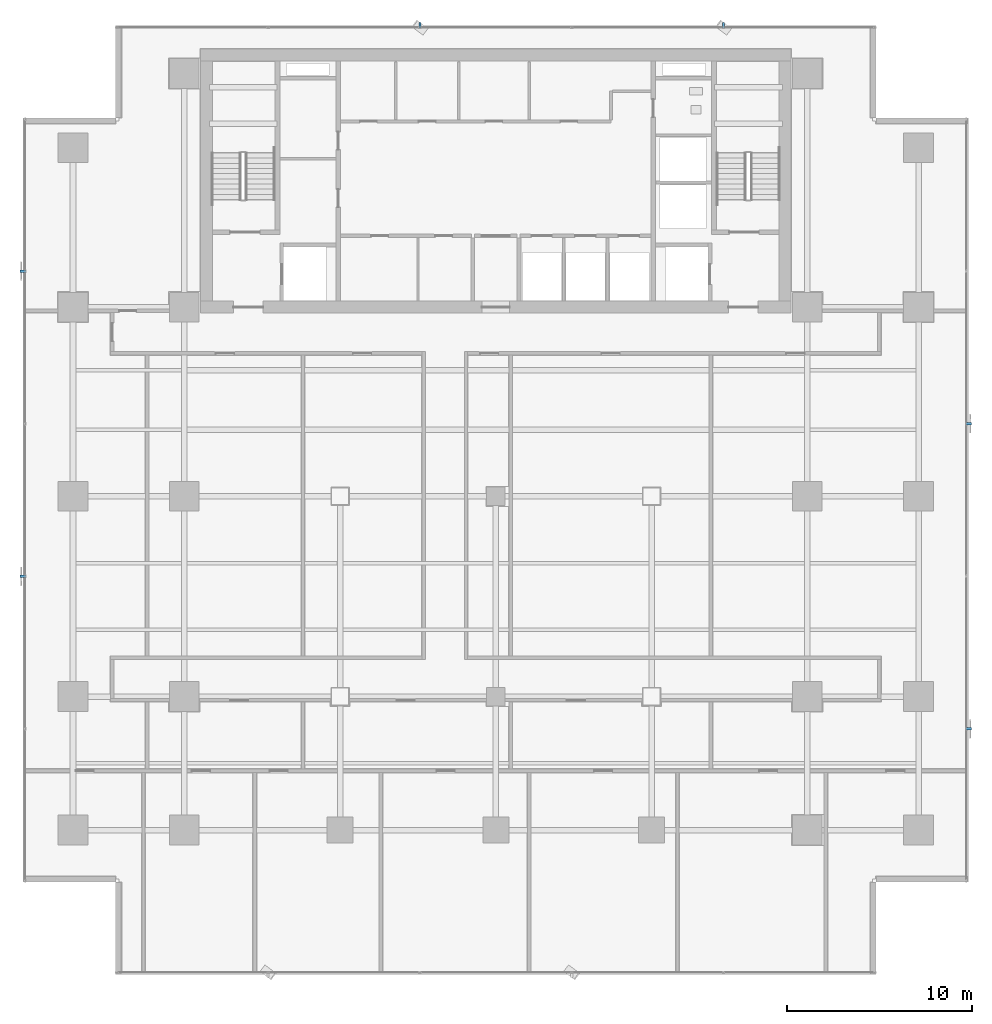
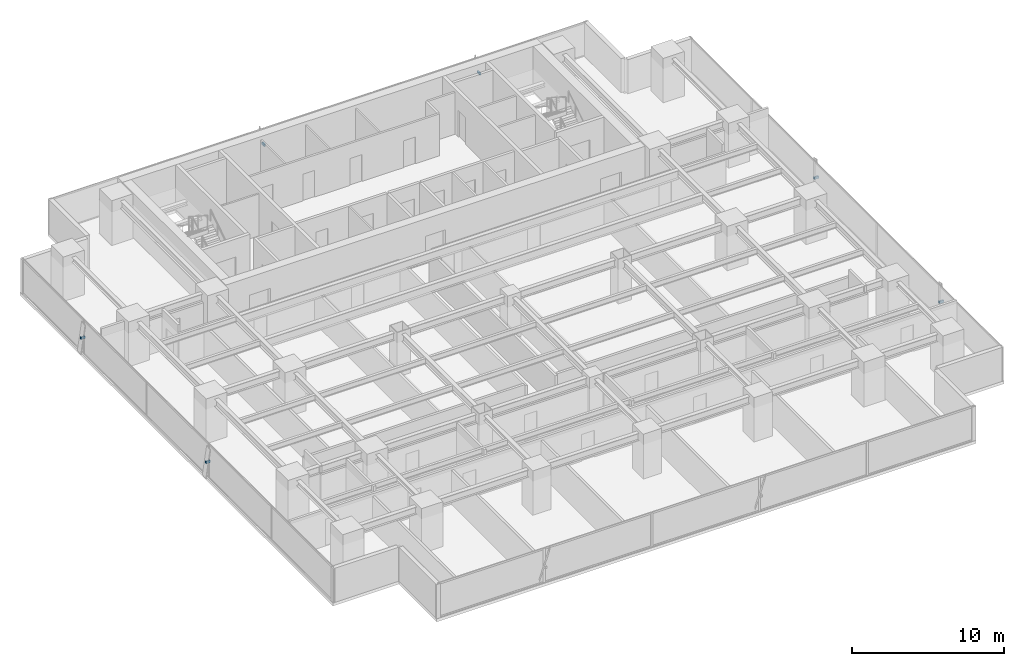
# One storey, part 31 of 36: 6 discrete accessories.
"""IFC4 building model written with IfcOpenShell, lengths in metres."""

from ifc_helpers import new_model, si_unit, direction, frame, origin, origin_2d, place, context, subcontext, project, spatial, rectangle, extrude, source, transform, mapped, material, material_profile, profile_set, type_object, element, save


model = new_model("IFC4")

# Units and contexts
model_context = context("Model", 3, precision=1e-05, world=origin(), true_north=direction((0.0, 1.0)))
body_context = subcontext(model_context, "Body", "Model", "MODEL_VIEW")
ifc_project = project(units=[si_unit("LENGTHUNIT", "METRE"), si_unit("AREAUNIT", "SQUARE_METRE"), si_unit("VOLUMEUNIT", "CUBIC_METRE"), si_unit("PLANEANGLEUNIT", "RADIAN"), si_unit("MASSUNIT", "GRAM", prefix="KILO")], contexts=[model_context])

# Site, building, storey
site_placement = place(None, origin())
site = spatial("IfcSite", under=ifc_project, at=site_placement, CompositionType="ELEMENT")
building_placement = place(site_placement, origin())
building = spatial("IfcBuilding", under=site, at=building_placement, Name="Sumidabori Civic Tower", CompositionType="ELEMENT")
storey_placement = place(building_placement, frame((0.0, 0.0, 113.60009765625)))
storey = spatial("IfcBuildingStorey", under=building, at=storey_placement, Name="L29", CompositionType="ELEMENT", Elevation=113.60009765625)

# Discrete accessories
ifc_material = material(Name="Stainless Steel Hairline Finish", Category="steel")
ifc_material_profile = material_profile(ifc_material, rectangle(XDim=0.1201171875, YDim=0.179931640625, at=origin_2d()), Name="STEEL BRACKET 180x120")
ifc_profile_set = profile_set([ifc_material_profile], Name="Stainless Steel Hairline Finish")
discrete_accessory_type = type_object("IfcDiscreteAccessoryType", Name="AC-BRK-180", PredefinedType="BRACKET", material=ifc_profile_set)
shared_shape_1 = source(origin(), body_context, "Body", "SweptSolid", [
    extrude(rectangle(XDim=0.1201171875, YDim=0.179931640625, at=origin_2d()), origin(), (0.0, 0.0, 1.0), 0.329833984375),
])
for number, where, z_axis, x_axis, name in (
    (1, (25.330078125, -12.5419921875, 1.35986328125), (1.0, 0.0, 0.0), (0.0, 1.0, 0.0), "Bronze Fin Fixing Bracket L29-01"),
    (2, (25.330078125, 3.9140625, 1.35986328125), (1.0, 0.0, 0.0), (0.0, 1.0, 0.0), "Bronze Fin Fixing Bracket L29-03"),
    (3, (-25.330078125, 12.14208984375, 1.35986328125), (-1.0, 0.0, 0.0), (0.0, -1.0, 0.0), "Bronze Fin Fixing Bracket L29-01"),
    (4, (-25.330078125, -4.31396484375, 1.35986328125), (-1.0, 0.0, 0.0), (0.0, -1.0, 0.0), "Bronze Fin Fixing Bracket L29-03"),
):
    element("IfcDiscreteAccessory", number, at=place(storey_placement, frame(where, z_axis=z_axis, x_axis=x_axis)), inside=storey, type_object=discrete_accessory_type, Name=name, PredefinedType="BRACKET", context=body_context, shape_type="MappedRepresentation", body=[
        mapped(shared_shape_1, transform((0.0, 0.0, 0.0), x_axis=(1.0, 0.0, 0.0), y_axis=(0.0, 1.0, 0.0), z_axis=(0.0, 0.0, 1.0), scale=1.0)),
    ])
shared_shape_2 = source(origin(), body_context, "Body", "SweptSolid", [
    extrude(rectangle(XDim=0.1201171875, YDim=0.179931640625, at=origin_2d()), origin(), (0.0, 0.0, 1.0), 0.330078125),
])
for number, where, z_axis, x_axis, name in (
    (5, (12.281982421875, 25.22998046875, 1.35986328125), (0.0, 1.0, 0.0), (-1.0, 0.0, 0.0), "Bronze Fin Fixing Bracket L29-01"),
    (6, (-4.093994140625, 25.22998046875, 1.35986328125), (0.0, 1.0, 0.0), (-1.0, 0.0, 0.0), "Bronze Fin Fixing Bracket L29-03"),
):
    element("IfcDiscreteAccessory", number, at=place(storey_placement, frame(where, z_axis=z_axis, x_axis=x_axis)), inside=storey, type_object=discrete_accessory_type, Name=name, PredefinedType="BRACKET", context=body_context, shape_type="MappedRepresentation", body=[
        mapped(shared_shape_2, transform((0.0, 0.0, 0.0), x_axis=(1.0, 0.0, 0.0), y_axis=(0.0, 1.0, 0.0), z_axis=(0.0, 0.0, 1.0), scale=1.0)),
    ])

save(model, "model.ifc")
